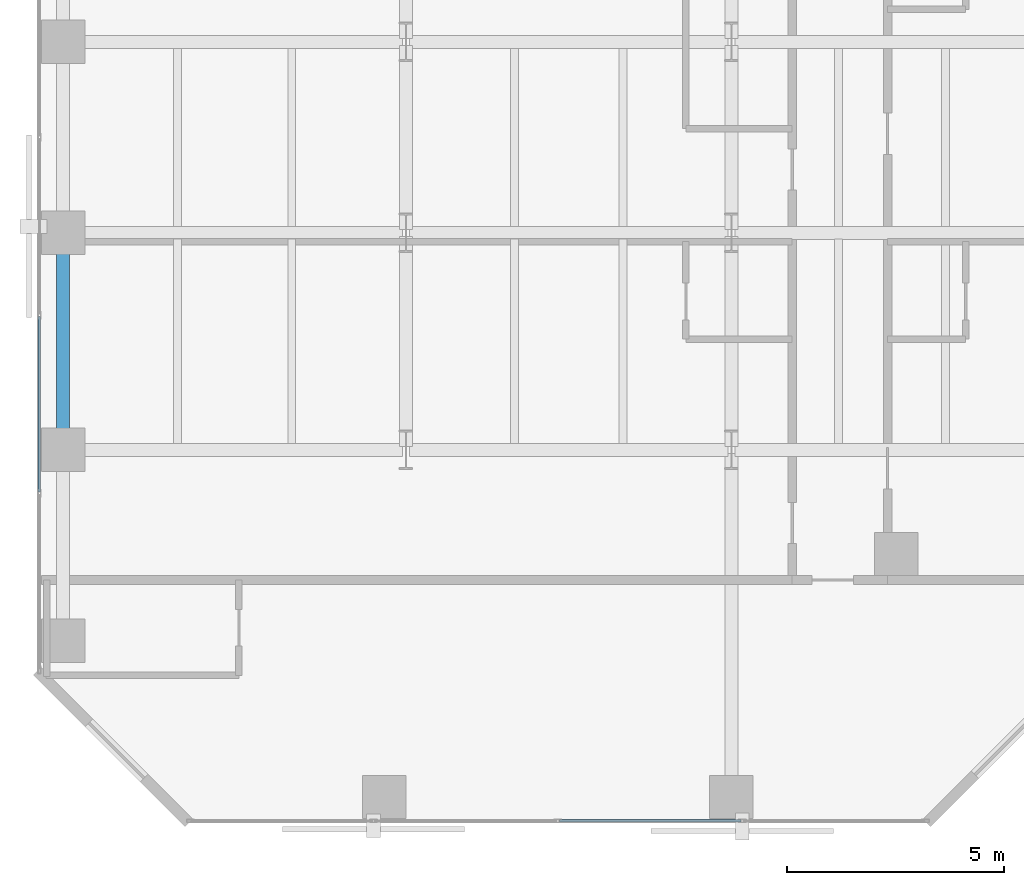
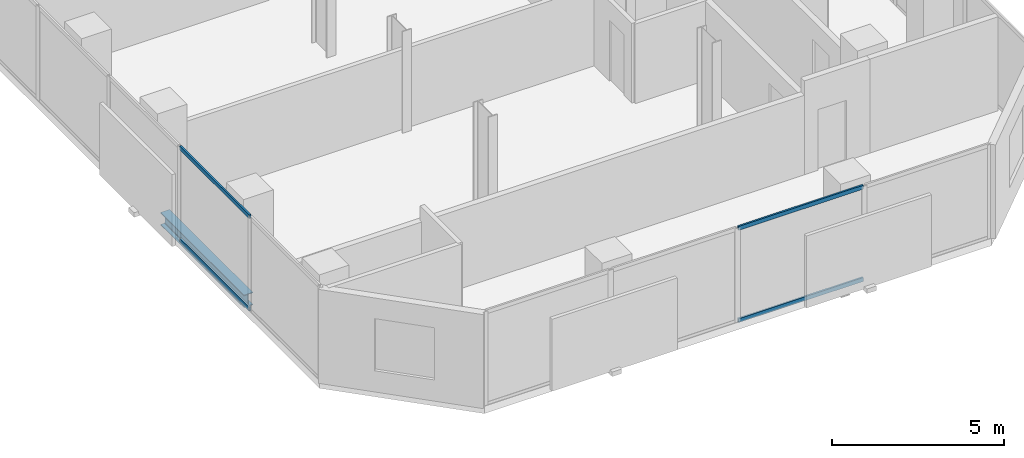
# One storey, part 3 of 31: 4 members, 1 beam, 2 elements without a shape of their own.
"""IFC4 building model written with IfcOpenShell, lengths in metres."""

from ifc_helpers import new_model, si_unit, direction, frame, origin, origin_2d, place, context, subcontext, project, spatial, hollow_rectangle, i_section, extrude, material, layer, layer_set, material_profile, profile_set, type_object, element, aggregate, save


model = new_model("IFC4")

# Units and contexts
model_context = context("Model", 3, precision=1e-05, world=origin(), true_north=direction((0.0, 1.0)))
body_context = subcontext(model_context, "Body", "Model", "MODEL_VIEW")
ifc_project = project(units=[si_unit("LENGTHUNIT", "METRE"), si_unit("AREAUNIT", "SQUARE_METRE"), si_unit("VOLUMEUNIT", "CUBIC_METRE"), si_unit("PLANEANGLEUNIT", "RADIAN"), si_unit("MASSUNIT", "GRAM", prefix="KILO")], contexts=[model_context])

# Site, building, storey
site_placement = place(None, origin())
site = spatial("IfcSite", under=ifc_project, at=site_placement, CompositionType="ELEMENT")
building_placement = place(site_placement, origin())
building = spatial("IfcBuilding", under=site, at=building_placement, Name="Catumbela Crestline Tower", CompositionType="ELEMENT")
storey_placement = place(building_placement, frame((0.0, 0.0, 36.6)))
storey = spatial("IfcBuildingStorey", under=building, at=storey_placement, Name="L08", CompositionType="ELEMENT", Elevation=36.6)

# Beam
ifc_material_1 = material(Name="Structural steel S355J2", Category="steel")
ifc_material_profile_1 = material_profile(ifc_material_1, i_section(OverallWidth=0.3, OverallDepth=0.45, WebThickness=0.014, FlangeThickness=0.026, FilletRadius=0.027, at=origin_2d()), Name="HEB 450")
ifc_profile_set_1 = profile_set([ifc_material_profile_1], Name="Structural steel S355J2")
beam_type = type_object("IfcBeamType", Name="BS-HEB450", PredefinedType="SPANDREL", material=ifc_profile_set_1)
beam_placement = place(storey_placement, frame((0.6, 8.68, -0.485), z_axis=(0.0, 1.0, 0.0), x_axis=(-1.0, 0.0, 0.0)))
element("IfcBeam", 1, at=beam_placement, inside=storey, type_object=beam_type, Name="L08 Spandrel SP-L08-WNS58", PredefinedType="SPANDREL", context=body_context, shape_type="SweptSolid", body=[
    extrude(i_section(OverallWidth=0.3, OverallDepth=0.45, WebThickness=0.014, FlangeThickness=0.026, FilletRadius=0.027, at=origin_2d()), origin(), (0.0, 0.0, 1.0), 4.84),
])

# Curtain wall, members
ifc_material_2 = material(Name="Aluminium alloy AW-6060-T66", Category="aluminium")
ifc_layer = layer(ifc_material_2, 0.18, Name="Aluminium alloy AW-6060-T66")
ifc_layer_set = layer_set([ifc_layer], Name="Aluminium alloy AW-6060-T66")
curtain_wall_type = type_object("IfcCurtainWallType", Name="CWU-Z1", PredefinedType="USERDEFINED", material=ifc_layer_set)
curtain_wall_1_placement = place(storey_placement, origin())
curtain_wall_1 = element("IfcCurtainWall", 2, at=curtain_wall_1_placement, inside=storey, type_object=curtain_wall_type, Name="L08 Unitised Curtain Wall CW-L08-E0S1", ObjectType="UNITISED", PredefinedType="USERDEFINED")
ifc_material_profile_2 = material_profile(ifc_material_2, hollow_rectangle(XDim=0.06, YDim=0.14, WallThickness=0.004, at=origin_2d()), Name="ALU 140x60x4")
ifc_profile_set_2 = profile_set([ifc_material_profile_2], Name="Aluminium alloy AW-6060-T66")
member_type = type_object("IfcMemberType", Name="TRN-140X60", PredefinedType="USERDEFINED", material=ifc_profile_set_2)
member_1_placement = place(storey_placement, frame((12.0325, 0.05, 0.03), z_axis=(1.0, 0.0, 0.0), x_axis=(0.0, 1.0, 0.0)))
member_1 = element("IfcMember", 3, at=member_1_placement, type_object=member_type, Name="CWU-Z1 transom 3.1", ObjectType="TRANSOM", PredefinedType="USERDEFINED", context=body_context, shape_type="SweptSolid", body=[
    extrude(hollow_rectangle(XDim=0.06, YDim=0.14, WallThickness=0.004, at=origin_2d()), origin(), (0.0, 0.0, 1.0), 4.185),
])
member_2_placement = place(storey_placement, frame((12.0325, 0.05, 3.3), z_axis=(1.0, 0.0, 0.0), x_axis=(0.0, 1.0, 0.0)))
member_2 = element("IfcMember", 4, at=member_2_placement, type_object=member_type, Name="CWU-Z1 transom 3.2", ObjectType="TRANSOM", PredefinedType="USERDEFINED", context=body_context, shape_type="SweptSolid", body=[
    extrude(hollow_rectangle(XDim=0.06, YDim=0.14, WallThickness=0.004, at=origin_2d()), origin(), (0.0, 0.0, 1.0), 4.185),
])
aggregate(curtain_wall_1, [member_1, member_2])

curtain_wall_2_placement = place(storey_placement, origin())
curtain_wall_2 = element("IfcCurtainWall", 5, at=curtain_wall_2_placement, inside=storey, type_object=curtain_wall_type, Name="L08 Unitised Curtain Wall CW-L08-E9S1", ObjectType="UNITISED", PredefinedType="USERDEFINED")
member_3_placement = place(storey_placement, frame((0.05, 11.6675, 0.03), z_axis=(0.0, -1.0, 0.0), x_axis=(1.0, 0.0, 0.0)))
member_3 = element("IfcMember", 6, at=member_3_placement, type_object=member_type, Name="CWU-Z1 transom 9.1", ObjectType="TRANSOM", PredefinedType="USERDEFINED", context=body_context, shape_type="SweptSolid", body=[
    extrude(hollow_rectangle(XDim=0.06, YDim=0.14, WallThickness=0.004, at=origin_2d()), origin(), (0.0, 0.0, 1.0), 4.035),
])
member_4_placement = place(storey_placement, frame((0.05, 11.6675, 3.3), z_axis=(0.0, -1.0, 0.0), x_axis=(1.0, 0.0, 0.0)))
member_4 = element("IfcMember", 7, at=member_4_placement, type_object=member_type, Name="CWU-Z1 transom 9.2", ObjectType="TRANSOM", PredefinedType="USERDEFINED", context=body_context, shape_type="SweptSolid", body=[
    extrude(hollow_rectangle(XDim=0.06, YDim=0.14, WallThickness=0.004, at=origin_2d()), origin(), (0.0, 0.0, 1.0), 4.035),
])
aggregate(curtain_wall_2, [member_3, member_4])

save(model, "model.ifc")
